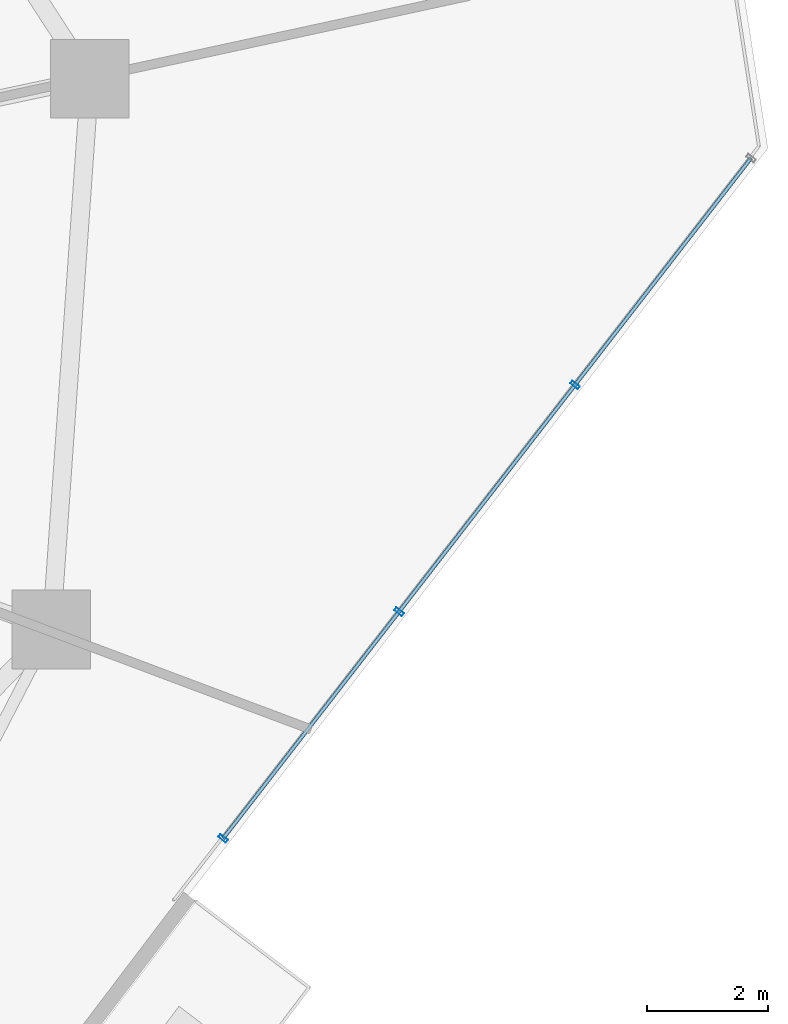
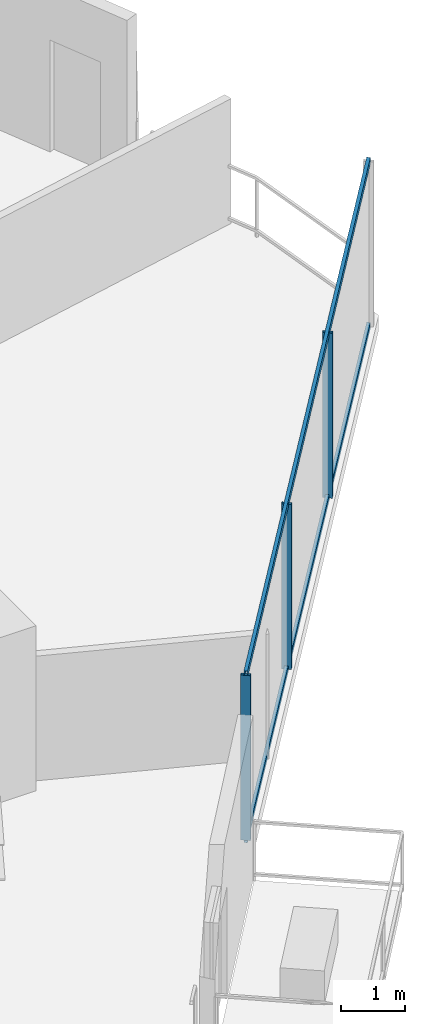
# One storey, part 13 of 30: 5 members, 1 element without a shape of its own.
"""IFC4 building model written with IfcOpenShell, lengths in metres."""

from ifc_helpers import new_model, si_unit, direction, frame, origin, origin_2d, place, context, subcontext, project, spatial, hollow_rectangle, extrude, material, layer, layer_set, material_profile, profile_set, type_object, element, aggregate, save


model = new_model("IFC4")

# Units and contexts
model_context = context("Model", 3, precision=1e-05, world=origin(), true_north=direction((0.0, 1.0)))
body_context = subcontext(model_context, "Body", "Model", "MODEL_VIEW")
ifc_project = project(units=[si_unit("LENGTHUNIT", "METRE"), si_unit("AREAUNIT", "SQUARE_METRE"), si_unit("VOLUMEUNIT", "CUBIC_METRE"), si_unit("PLANEANGLEUNIT", "RADIAN"), si_unit("MASSUNIT", "GRAM", prefix="KILO")], contexts=[model_context])

# Site, building, storey
site_placement = place(None, origin())
site = spatial("IfcSite", under=ifc_project, at=site_placement, CompositionType="ELEMENT")
building_placement = place(site_placement, origin())
building = spatial("IfcBuilding", under=site, at=building_placement, Name="Qarnah Convention Tower", CompositionType="ELEMENT")
storey_placement = place(building_placement, frame((0.0, 0.0, 40.800048828125)))
storey = spatial("IfcBuildingStorey", under=building, at=storey_placement, Name="L09", CompositionType="ELEMENT", Elevation=40.800048828125)

# Curtain wall, members
ifc_material_1 = material(Name="Tempered Low-E dark glass", Category="glass")
ifc_layer = layer(ifc_material_1, 0.16796875)
ifc_layer_set = layer_set([ifc_layer], Name="Tempered Low-E dark glass")
curtain_wall_type = type_object("IfcCurtainWallType", Name="CWS-01", PredefinedType="NOTDEFINED", material=ifc_layer_set)
curtain_wall_placement = place(storey_placement, origin())
curtain_wall = element("IfcCurtainWall", 1, at=curtain_wall_placement, inside=storey, type_object=curtain_wall_type, Name="L09 unitised curtain wall CW-L09-F3", PredefinedType="NOTDEFINED")
ifc_material_2 = material(Name="Black anodised aluminium", Category="aluminium")
ifc_material_profile_1 = material_profile(ifc_material_2, hollow_rectangle(XDim=0.06005859375, YDim=0.159912109375, WallThickness=0.00390625, at=origin_2d()), Name="MUL-60X160")
ifc_profile_set_1 = profile_set([ifc_material_profile_1], Name="Black anodised aluminium")
member_type_1 = type_object("IfcMemberType", Name="MUL-T1", PredefinedType="MULLION", material=ifc_profile_set_1)
member_1_placement = place(storey_placement, frame((61.40625, 24.780029296875, 0.0), z_axis=(0.0, 0.0, 1.0), x_axis=(-0.613064422179, -0.790032919731, 0.0)))
member_1 = element("IfcMember", 2, at=member_1_placement, type_object=member_type_1, Name="CW-L09-F3 mullion 2", PredefinedType="MULLION", context=body_context, shape_type="SweptSolid", body=[
    extrude(hollow_rectangle(XDim=0.06005859375, YDim=0.159912109375, WallThickness=0.00390625, at=origin_2d()), origin(), (0.0, 0.0, 1.0), 3.169921875),
])
member_2_placement = place(storey_placement, frame((58.498779296875, 21.032958984375, 0.0), z_axis=(0.0, 0.0, 1.0), x_axis=(-0.613064422179, -0.790032919731, 0.0)))
member_2 = element("IfcMember", 3, at=member_2_placement, type_object=member_type_1, Name="CW-L09-F3 mullion 3", PredefinedType="MULLION", context=body_context, shape_type="SweptSolid", body=[
    extrude(hollow_rectangle(XDim=0.06005859375, YDim=0.159912109375, WallThickness=0.00390625, at=origin_2d()), origin(), (0.0, 0.0, 1.0), 3.169921875),
])
member_3_placement = place(storey_placement, frame((55.591064453125, 17.285888671875, 0.0), z_axis=(0.0, 0.0, 1.0), x_axis=(-0.613064422179, -0.790032919731, 0.0)))
member_3 = element("IfcMember", 4, at=member_3_placement, type_object=member_type_1, Name="CW-L09-F3 mullion 4", PredefinedType="MULLION", context=body_context, shape_type="SweptSolid", body=[
    extrude(hollow_rectangle(XDim=0.06005859375, YDim=0.159912109375, WallThickness=0.00390625, at=origin_2d()), origin(), (0.0, 0.0, 1.0), 3.169921875),
])
ifc_material_profile_2 = material_profile(ifc_material_2, hollow_rectangle(XDim=0.06005859375, YDim=0.1298828125, WallThickness=0.00390625, at=origin_2d()), Name="TRN-60X130")
ifc_profile_set_2 = profile_set([ifc_material_profile_2], Name="Black anodised aluminium")
member_type_2 = type_object("IfcMemberType", Name="TRN-T1", PredefinedType="USERDEFINED", material=ifc_profile_set_2)
member_4_placement = place(storey_placement, frame((64.31396484375, 28.527099609375, 0.0), z_axis=(-0.613052871758, -0.790041882706, 0.0), x_axis=(0.790041882706, -0.613052871758, 0.0)))
member_4 = element("IfcMember", 5, at=member_4_placement, type_object=member_type_2, Name="CW-L09-F3 transom 1", ObjectType="TRANSOM", PredefinedType="USERDEFINED", context=body_context, shape_type="SweptSolid", body=[
    extrude(hollow_rectangle(XDim=0.06005859375, YDim=0.1298828125, WallThickness=0.00390625, at=origin_2d()), origin(), (0.0, 0.0, 1.0), 14.228515625),
])
member_5_placement = place(storey_placement, frame((64.31396484375, 28.527099609375, 3.169921875), z_axis=(-0.613052871758, -0.790041882706, 0.0), x_axis=(0.790041882706, -0.613052871758, 0.0)))
member_5 = element("IfcMember", 6, at=member_5_placement, type_object=member_type_2, Name="CW-L09-F3 transom 2", ObjectType="TRANSOM", PredefinedType="USERDEFINED", context=body_context, shape_type="SweptSolid", body=[
    extrude(hollow_rectangle(XDim=0.06005859375, YDim=0.1298828125, WallThickness=0.00390625, at=origin_2d()), origin(), (0.0, 0.0, 1.0), 14.228515625),
])
aggregate(curtain_wall, [member_1, member_2, member_3, member_4, member_5])

save(model, "model.ifc")
